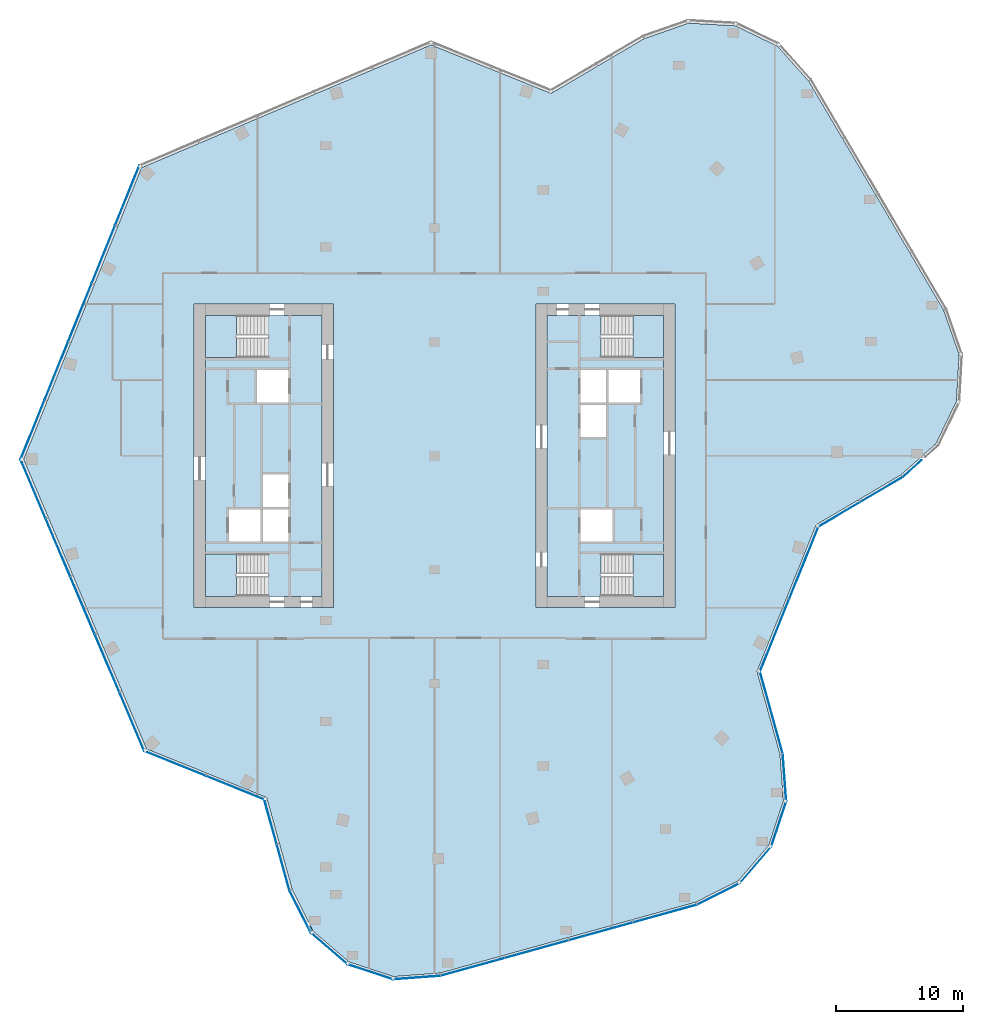
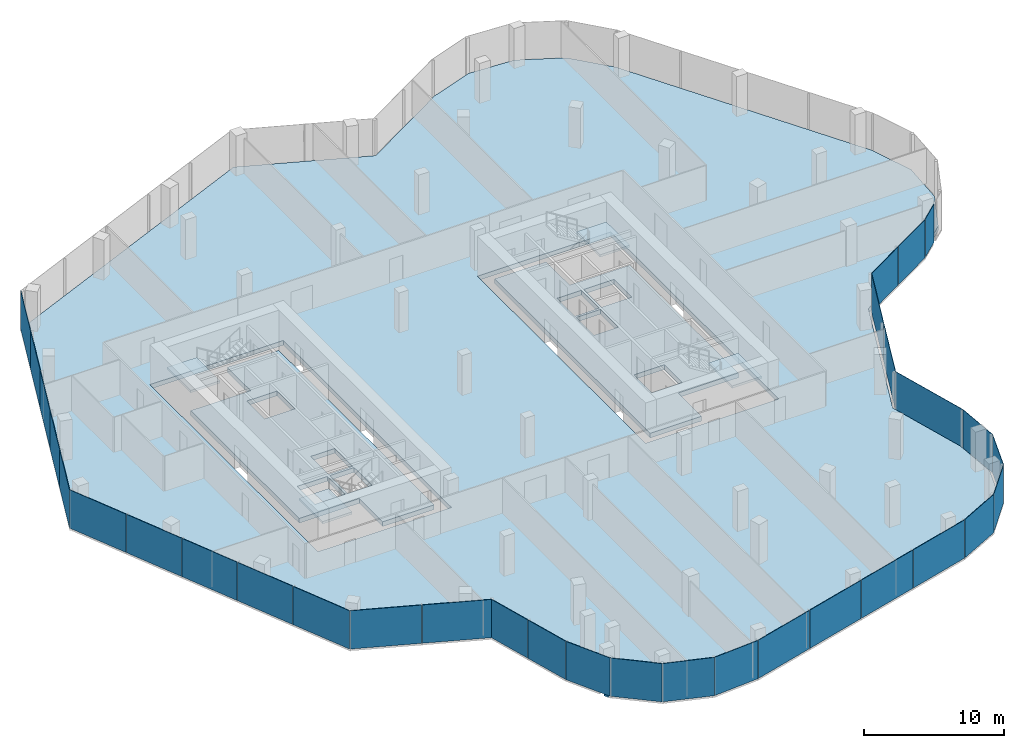
# One storey, part 10 of 16: 32 plates, 7 slabs, 1 member, 21 elements without a shape of their own.
"""IFC4 building model written with IfcOpenShell, lengths in metres."""

from ifc_helpers import new_model, si_unit, direction, frame, origin, origin_2d, place, context, subcontext, project, spatial, polyline, rectangle, outline, extrude, material, layer, layer_set, material_profile, profile_set, type_object, element, aggregate, save


model = new_model("IFC4")

# Units and contexts
model_context = context("Model", 3, precision=1e-05, world=origin(), true_north=direction((0.0, 1.0)))
body_context = subcontext(model_context, "Body", "Model", "MODEL_VIEW")
ifc_project = project(units=[si_unit("LENGTHUNIT", "METRE"), si_unit("AREAUNIT", "SQUARE_METRE"), si_unit("VOLUMEUNIT", "CUBIC_METRE"), si_unit("PLANEANGLEUNIT", "RADIAN"), si_unit("MASSUNIT", "GRAM", prefix="KILO")], contexts=[model_context])

# Site, building, storey
site_placement = place(None, origin())
site = spatial("IfcSite", under=ifc_project, at=site_placement, CompositionType="ELEMENT")
building_placement = place(site_placement, origin())
building = spatial("IfcBuilding", under=site, at=building_placement, Name="Orlundy Tower", CompositionType="ELEMENT")
storey_placement = place(building_placement, frame((0.0, 0.0, 282.39990234375)))
storey = spatial("IfcBuildingStorey", under=building, at=storey_placement, Name="L75", CompositionType="ELEMENT", Elevation=282.39990234375)

# Curtain wall, member
ifc_material_1 = material(Name="Aluminium bronze anodised", Category="aluminium")
curtain_wall_type = type_object("IfcCurtainWallType", Name="CW6 wall", PredefinedType="NOTDEFINED", material=ifc_material_1)
curtain_wall_1_placement = place(storey_placement, origin())
curtain_wall_1 = element("IfcCurtainWall", 1, at=curtain_wall_1_placement, inside=storey, type_object=curtain_wall_type, Name="CW6 run 011", PredefinedType="NOTDEFINED")
ifc_material_2 = material(Name="Aluminium bronze anodised", Category="aluminium")
ifc_material_profile = material_profile(ifc_material_2, rectangle(XDim=0.239990234375, YDim=0.159912109375, at=origin_2d()), Name="CW6 transom 240x160")
ifc_profile_set = profile_set([ifc_material_profile], Name="Aluminium bronze anodised")
member_type = type_object("IfcMemberType", Name="CW6 transom 240x160", PredefinedType="USERDEFINED", material=ifc_profile_set)
member_placement = place(storey_placement, frame((-9.7373046875, -37.5322265625, -0.31982421875), z_axis=(-0.450437701158, 0.892807861399, 0.0), x_axis=(-0.892807861399, -0.450437701158, 0.0)))
member = element("IfcMember", 2, at=member_placement, type_object=member_type, Name="CW6 transom", ObjectType="TRANSOM", PredefinedType="USERDEFINED", context=body_context, shape_type="SweptSolid", body=[
    extrude(rectangle(XDim=0.239990234375, YDim=0.159912109375, at=origin_2d()), origin(), (0.0, 0.0, 1.0), 0.363037109375),
])

# Curtain wall, plates
curtain_wall_2_placement = place(storey_placement, origin())
curtain_wall_2 = element("IfcCurtainWall", 3, at=curtain_wall_2_placement, inside=storey, type_object=curtain_wall_type, Name="CW6 run 00", PredefinedType="NOTDEFINED")
ifc_material_3 = material(Name="Tinted glass", Category="glass")
ifc_layer_1 = layer(ifc_material_3, 0.035888671875)
ifc_layer_set_1 = layer_set([ifc_layer_1], Name="CW6 glass panel 36")
plate_type = type_object("IfcPlateType", Name="CW6 glass panel 36", PredefinedType="CURTAIN_PANEL", material=ifc_layer_set_1)
plate_1_placement = place(storey_placement, frame((35.306396484375, -2.672607421875, -0.23974609375), z_axis=(0.0, 0.0, 1.0), x_axis=(-0.861613706628, -0.507564597416, 0.0)))
plate_1 = element("IfcPlate", 4, at=plate_1_placement, type_object=plate_type, Name="CW6 panel", PredefinedType="CURTAIN_PANEL", context=body_context, shape_type="SweptSolid", body=[
    extrude(rectangle(XDim=3.86376953125, YDim=0.035888671875, at=origin_2d()), origin(), (0.0, 0.0, 1.0), 3.340087890625),
])
plate_2_placement = place(storey_placement, frame((31.965087890625, -4.640869140625, -0.23974609375), z_axis=(0.0, 0.0, 1.0), x_axis=(-0.861613706628, -0.507564597416, 0.0)))
plate_2 = element("IfcPlate", 5, at=plate_2_placement, type_object=plate_type, Name="CW6 panel", PredefinedType="CURTAIN_PANEL", context=body_context, shape_type="SweptSolid", body=[
    extrude(rectangle(XDim=3.791748046875, YDim=0.035888671875, at=origin_2d()), origin(), (0.0, 0.0, 1.0), 3.340087890625),
])
aggregate(curtain_wall_2, [plate_1, plate_2])

curtain_wall_3_placement = place(storey_placement, origin())
curtain_wall_3 = element("IfcCurtainWall", 6, at=curtain_wall_3_placement, inside=storey, type_object=curtain_wall_type, Name="CW6 run 01", PredefinedType="NOTDEFINED")
plate_3_placement = place(storey_placement, frame((29.18115234375, -8.45068359375, -0.23974609375), z_axis=(0.0, 0.0, 1.0), x_axis=(-0.37457825326, -0.927195304229, 0.0)))
plate_3 = element("IfcPlate", 7, at=plate_3_placement, type_object=plate_type, Name="CW6 panel", PredefinedType="CURTAIN_PANEL", context=body_context, shape_type="SweptSolid", body=[
    extrude(rectangle(XDim=6.142578125, YDim=0.035888671875, at=origin_2d()), origin(), (0.0, 0.0, 1.0), 3.340087890625),
])
plate_4_placement = place(storey_placement, frame((26.861572265625, -14.192626953125, -0.23974609375), z_axis=(0.0, 0.0, 1.0), x_axis=(-0.37457825326, -0.927195304229, 0.0)))
plate_4 = element("IfcPlate", 8, at=plate_4_placement, type_object=plate_type, Name="CW6 panel", PredefinedType="CURTAIN_PANEL", context=body_context, shape_type="SweptSolid", body=[
    extrude(rectangle(XDim=6.142578125, YDim=0.035888671875, at=origin_2d()), origin(), (0.0, 0.0, 1.0), 3.340087890625),
])
aggregate(curtain_wall_3, [plate_3, plate_4])

# Curtain wall, plate
curtain_wall_4_placement = place(storey_placement, origin())
curtain_wall_4 = element("IfcCurtainWall", 9, at=curtain_wall_4_placement, inside=storey, type_object=curtain_wall_type, Name="CW6 run 02", PredefinedType="NOTDEFINED")
plate_5_placement = place(storey_placement, frame((26.607177734375, -20.27099609375, -0.23974609375), z_axis=(0.0, 0.0, 1.0), x_axis=(0.26725609635, -0.963625538767, 0.0)))
plate_5 = element("IfcPlate", 10, at=plate_5_placement, type_object=plate_type, Name="CW6 panel", PredefinedType="CURTAIN_PANEL", context=body_context, shape_type="SweptSolid", body=[
    extrude(rectangle(XDim=6.705078125, YDim=0.035888671875, at=origin_2d()), origin(), (0.0, 0.0, 1.0), 3.340087890625),
])
aggregate(curtain_wall_4, [plate_5])

curtain_wall_5_placement = place(storey_placement, origin())
curtain_wall_5 = element("IfcCurtainWall", 11, at=curtain_wall_5_placement, inside=storey, type_object=curtain_wall_type, Name="CW6 run 03", PredefinedType="NOTDEFINED")
plate_6_placement = place(storey_placement, frame((27.650146484375, -25.419677734375, -0.23974609375), z_axis=(0.0, 0.0, 1.0), x_axis=(0.073911430304, -0.997264809602, 0.0)))
plate_6 = element("IfcPlate", 12, at=plate_6_placement, type_object=plate_type, Name="CW6 panel", PredefinedType="CURTAIN_PANEL", context=body_context, shape_type="SweptSolid", body=[
    extrude(rectangle(XDim=3.748046875, YDim=0.035888671875, at=origin_2d()), origin(), (0.0, 0.0, 1.0), 3.340087890625),
])
aggregate(curtain_wall_5, [plate_6])

curtain_wall_6_placement = place(storey_placement, origin())
curtain_wall_6 = element("IfcCurtainWall", 13, at=curtain_wall_6_placement, inside=storey, type_object=curtain_wall_type, Name="CW6 run 04", PredefinedType="NOTDEFINED")
plate_7_placement = place(storey_placement, frame((27.19482421875, -29.090576171875, -0.23974609375), z_axis=(0.0, 0.0, 1.0), x_axis=(-0.312988116173, -0.949757042161, 0.0)))
plate_7 = element("IfcPlate", 14, at=plate_7_placement, type_object=plate_type, Name="CW6 panel", PredefinedType="CURTAIN_PANEL", context=body_context, shape_type="SweptSolid", body=[
    extrude(rectangle(XDim=3.79443359375, YDim=0.035888671875, at=origin_2d()), origin(), (0.0, 0.0, 1.0), 3.340087890625),
])
aggregate(curtain_wall_6, [plate_7])

curtain_wall_7_placement = place(storey_placement, origin())
curtain_wall_7 = element("IfcCurtainWall", 15, at=curtain_wall_7_placement, inside=storey, type_object=curtain_wall_type, Name="CW6 run 05", PredefinedType="NOTDEFINED")
plate_8_placement = place(storey_placement, frame((25.362060546875, -32.329833984375, -0.23974609375), z_axis=(0.0, 0.0, 1.0), x_axis=(-0.652832887024, -0.757501961463, 0.0)))
plate_8 = element("IfcPlate", 16, at=plate_8_placement, type_object=plate_type, Name="CW6 panel", PredefinedType="CURTAIN_PANEL", context=body_context, shape_type="SweptSolid", body=[
    extrude(rectangle(XDim=3.795166015625, YDim=0.035888671875, at=origin_2d()), origin(), (0.0, 0.0, 1.0), 3.340087890625),
])
aggregate(curtain_wall_7, [plate_8])

curtain_wall_8_placement = place(storey_placement, origin())
curtain_wall_8 = element("IfcCurtainWall", 17, at=curtain_wall_8_placement, inside=storey, type_object=curtain_wall_type, Name="CW6 run 06", PredefinedType="NOTDEFINED")
plate_9_placement = place(storey_placement, frame((22.4501953125, -34.610595703125, -0.23974609375), z_axis=(0.0, 0.0, 1.0), x_axis=(-0.893019858419, -0.450017257968, 0.0)))
plate_9 = element("IfcPlate", 18, at=plate_9_placement, type_object=plate_type, Name="CW6 panel", PredefinedType="CURTAIN_PANEL", context=body_context, shape_type="SweptSolid", body=[
    extrude(rectangle(XDim=3.747314453125, YDim=0.035888671875, at=origin_2d()), origin(), (0.0, 0.0, 1.0), 3.340087890625),
])
aggregate(curtain_wall_8, [plate_9])

# Curtain wall, plates
curtain_wall_9_placement = place(storey_placement, origin())
curtain_wall_9 = element("IfcCurtainWall", 19, at=curtain_wall_9_placement, inside=storey, type_object=curtain_wall_type, Name="CW6 run 07", PredefinedType="NOTDEFINED")
plate_10_placement = place(storey_placement, frame((18.21435546875, -36.16943359375, -0.23974609375), z_axis=(0.0, 0.0, 1.0), x_axis=(-0.963629710974, -0.267241052476, 0.0)))
plate_10 = element("IfcPlate", 20, at=plate_10_placement, type_object=plate_type, Name="CW6 panel", PredefinedType="CURTAIN_PANEL", context=body_context, shape_type="SweptSolid", body=[
    extrude(rectangle(XDim=5.2216796875, YDim=0.035888671875, at=origin_2d()), origin(), (0.0, 0.0, 1.0), 3.340087890625),
])
plate_11_placement = place(storey_placement, frame((13.144775390625, -37.575439453125, -0.23974609375), z_axis=(0.0, 0.0, 1.0), x_axis=(-0.963629710974, -0.267241052476, 0.0)))
plate_11 = element("IfcPlate", 21, at=plate_11_placement, type_object=plate_type, Name="CW6 panel", PredefinedType="CURTAIN_PANEL", context=body_context, shape_type="SweptSolid", body=[
    extrude(rectangle(XDim=5.199951171875, YDim=0.035888671875, at=origin_2d()), origin(), (0.0, 0.0, 1.0), 3.340087890625),
])
plate_12_placement = place(storey_placement, frame((8.0859375, -38.978515625, -0.23974609375), z_axis=(0.0, 0.0, 1.0), x_axis=(-0.963629710974, -0.267241052476, 0.0)))
plate_12 = element("IfcPlate", 22, at=plate_12_placement, type_object=plate_type, Name="CW6 panel", PredefinedType="CURTAIN_PANEL", context=body_context, shape_type="SweptSolid", body=[
    extrude(rectangle(XDim=5.199951171875, YDim=0.035888671875, at=origin_2d()), origin(), (0.0, 0.0, 1.0), 3.340087890625),
])
plate_13_placement = place(storey_placement, frame((3.016357421875, -40.38427734375, -0.23974609375), z_axis=(0.0, 0.0, 1.0), x_axis=(-0.963629710974, -0.267241052476, 0.0)))
plate_13 = element("IfcPlate", 23, at=plate_13_placement, type_object=plate_type, Name="CW6 panel", PredefinedType="CURTAIN_PANEL", context=body_context, shape_type="SweptSolid", body=[
    extrude(rectangle(XDim=5.2216796875, YDim=0.035888671875, at=origin_2d()), origin(), (0.0, 0.0, 1.0), 3.340087890625),
])
aggregate(curtain_wall_9, [plate_10, plate_11, plate_12, plate_13])

# Curtain wall, plate
curtain_wall_10_placement = place(storey_placement, origin())
curtain_wall_10 = element("IfcCurtainWall", 24, at=curtain_wall_10_placement, inside=storey, type_object=curtain_wall_type, Name="CW6 run 08", PredefinedType="NOTDEFINED")
plate_14_placement = place(storey_placement, frame((-1.417724609375, -41.229736328125, -0.23974609375), z_axis=(0.0, 0.0, 1.0), x_axis=(-0.99724489086, -0.074179698392, 0.0)))
plate_14 = element("IfcPlate", 25, at=plate_14_placement, type_object=plate_type, Name="CW6 panel", PredefinedType="CURTAIN_PANEL", context=body_context, shape_type="SweptSolid", body=[
    extrude(rectangle(XDim=3.748046875, YDim=0.035888671875, at=origin_2d()), origin(), (0.0, 0.0, 1.0), 3.340087890625),
])
aggregate(curtain_wall_10, [plate_14])

curtain_wall_11_placement = place(storey_placement, origin())
curtain_wall_11 = element("IfcCurtainWall", 26, at=curtain_wall_11_placement, inside=storey, type_object=curtain_wall_type, Name="CW6 run 09", PredefinedType="NOTDEFINED")
plate_15_placement = place(storey_placement, frame((-5.088623046875, -40.7744140625, -0.23974609375), z_axis=(0.0, 0.0, 1.0), x_axis=(-0.949676811134, 0.313231470951, 0.0)))
plate_15 = element("IfcPlate", 27, at=plate_15_placement, type_object=plate_type, Name="CW6 panel", PredefinedType="CURTAIN_PANEL", context=body_context, shape_type="SweptSolid", body=[
    extrude(rectangle(XDim=3.794921875, YDim=0.035888671875, at=origin_2d()), origin(), (0.0, 0.0, 1.0), 3.340087890625),
])
aggregate(curtain_wall_11, [plate_15])

curtain_wall_12_placement = place(storey_placement, origin())
curtain_wall_12 = element("IfcCurtainWall", 28, at=curtain_wall_12_placement, inside=storey, type_object=curtain_wall_type, Name="CW6 run 010", PredefinedType="NOTDEFINED")
plate_16_placement = place(storey_placement, frame((-8.327880859375, -38.941650390625, -0.23974609375), z_axis=(0.0, 0.0, 1.0), x_axis=(-0.757635374241, 0.652678052104, 0.0)))
plate_16 = element("IfcPlate", 29, at=plate_16_placement, type_object=plate_type, Name="CW6 panel", PredefinedType="CURTAIN_PANEL", context=body_context, shape_type="SweptSolid", body=[
    extrude(rectangle(XDim=3.794677734375, YDim=0.035888671875, at=origin_2d()), origin(), (0.0, 0.0, 1.0), 3.340087890625),
])
aggregate(curtain_wall_12, [plate_16])

# Plate
plate_17_placement = place(storey_placement, frame((-10.608642578125, -36.030029296875, -0.23974609375), z_axis=(0.0, 0.0, 1.0), x_axis=(-0.450017257968, 0.893019858419, 0.0)))
plate_17 = element("IfcPlate", 30, at=plate_17_placement, type_object=plate_type, Name="CW6 panel", PredefinedType="CURTAIN_PANEL", context=body_context, shape_type="SweptSolid", body=[
    extrude(rectangle(XDim=3.74755859375, YDim=0.035888671875, at=origin_2d()), origin(), (0.0, 0.0, 1.0), 3.340087890625),
])

aggregate(curtain_wall_1, [plate_17, member])

# Curtain wall, plates
curtain_wall_13_placement = place(storey_placement, origin())
curtain_wall_13 = element("IfcCurtainWall", 31, at=curtain_wall_13_placement, inside=storey, type_object=curtain_wall_type, Name="CW6 run 012", PredefinedType="NOTDEFINED")
plate_18_placement = place(storey_placement, frame((-11.96923828125, -32.509033203125, -0.23974609375), z_axis=(0.0, 0.0, 1.0), x_axis=(-0.267226188967, 0.963633832911, 0.0)))
plate_18 = element("IfcPlate", 32, at=plate_18_placement, type_object=plate_type, Name="CW6 panel", PredefinedType="CURTAIN_PANEL", context=body_context, shape_type="SweptSolid", body=[
    extrude(rectangle(XDim=3.73828125, YDim=0.035888671875, at=origin_2d()), origin(), (0.0, 0.0, 1.0), 3.340087890625),
])
plate_19_placement = place(storey_placement, frame((-12.96728515625, -28.90966796875, -0.23974609375), z_axis=(0.0, 0.0, 1.0), x_axis=(-0.267226188967, 0.963633832911, 0.0)))
plate_19 = element("IfcPlate", 33, at=plate_19_placement, type_object=plate_type, Name="CW6 panel", PredefinedType="CURTAIN_PANEL", context=body_context, shape_type="SweptSolid", body=[
    extrude(rectangle(XDim=3.632080078125, YDim=0.035888671875, at=origin_2d()), origin(), (0.0, 0.0, 1.0), 3.340087890625),
])
aggregate(curtain_wall_13, [plate_18, plate_19])

curtain_wall_14_placement = place(storey_placement, origin())
curtain_wall_14 = element("IfcCurtainWall", 34, at=curtain_wall_14_placement, inside=storey, type_object=curtain_wall_type, Name="CW6 run 013", PredefinedType="NOTDEFINED")
plate_20_placement = place(storey_placement, frame((-15.763427734375, -26.2265625, -0.23974609375), z_axis=(0.0, 0.0, 1.0), x_axis=(-0.927218353808, 0.374521193474, 0.0)))
plate_20 = element("IfcPlate", 35, at=plate_20_placement, type_object=plate_type, Name="CW6 panel", PredefinedType="CURTAIN_PANEL", context=body_context, shape_type="SweptSolid", body=[
    extrude(rectangle(XDim=4.984130859375, YDim=0.035888671875, at=origin_2d()), origin(), (0.0, 0.0, 1.0), 3.340087890625),
])
plate_21_placement = place(storey_placement, frame((-20.5244140625, -24.303466796875, -0.23974609375), z_axis=(0.0, 0.0, 1.0), x_axis=(-0.927218353808, 0.374521193474, 0.0)))
plate_21 = element("IfcPlate", 36, at=plate_21_placement, type_object=plate_type, Name="CW6 panel", PredefinedType="CURTAIN_PANEL", context=body_context, shape_type="SweptSolid", body=[
    extrude(rectangle(XDim=5.185546875, YDim=0.035888671875, at=origin_2d()), origin(), (0.0, 0.0, 1.0), 3.340087890625),
])
aggregate(curtain_wall_14, [plate_20, plate_21])

curtain_wall_15_placement = place(storey_placement, origin())
curtain_wall_15 = element("IfcCurtainWall", 37, at=curtain_wall_15_placement, inside=storey, type_object=curtain_wall_type, Name="CW6 run 014", PredefinedType="NOTDEFINED")
plate_22_placement = place(storey_placement, frame((-23.91259765625, -21.013671875, -0.23974609375), z_axis=(0.0, 0.0, 1.0), x_axis=(-0.390726531244, 0.920506804854, 0.0)))
plate_22 = element("IfcPlate", 38, at=plate_22_placement, type_object=plate_type, Name="CW6 panel", PredefinedType="CURTAIN_PANEL", context=body_context, shape_type="SweptSolid", body=[
    extrude(rectangle(XDim=5.03759765625, YDim=0.035888671875, at=origin_2d()), origin(), (0.0, 0.0, 1.0), 3.340087890625),
])
plate_23_placement = place(storey_placement, frame((-25.877685546875, -16.38427734375, -0.23974609375), z_axis=(0.0, 0.0, 1.0), x_axis=(-0.390726531244, 0.920506804854, 0.0)))
plate_23 = element("IfcPlate", 39, at=plate_23_placement, type_object=plate_type, Name="CW6 panel", PredefinedType="CURTAIN_PANEL", context=body_context, shape_type="SweptSolid", body=[
    extrude(rectangle(XDim=4.920654296875, YDim=0.035888671875, at=origin_2d()), origin(), (0.0, 0.0, 1.0), 3.340087890625),
])
plate_24_placement = place(storey_placement, frame((-27.81982421875, -11.808837890625, -0.23974609375), z_axis=(0.0, 0.0, 1.0), x_axis=(-0.390726531244, 0.920506804854, 0.0)))
plate_24 = element("IfcPlate", 40, at=plate_24_placement, type_object=plate_type, Name="CW6 panel", PredefinedType="CURTAIN_PANEL", context=body_context, shape_type="SweptSolid", body=[
    extrude(rectangle(XDim=4.920654296875, YDim=0.035888671875, at=origin_2d()), origin(), (0.0, 0.0, 1.0), 3.340087890625),
])
plate_25_placement = place(storey_placement, frame((-29.761962890625, -7.233154296875, -0.23974609375), z_axis=(0.0, 0.0, 1.0), x_axis=(-0.390726531244, 0.920506804854, 0.0)))
plate_25 = element("IfcPlate", 41, at=plate_25_placement, type_object=plate_type, Name="CW6 panel", PredefinedType="CURTAIN_PANEL", context=body_context, shape_type="SweptSolid", body=[
    extrude(rectangle(XDim=4.920654296875, YDim=0.035888671875, at=origin_2d()), origin(), (0.0, 0.0, 1.0), 3.340087890625),
])
plate_26_placement = place(storey_placement, frame((-31.72705078125, -2.603759765625, -0.23974609375), z_axis=(0.0, 0.0, 1.0), x_axis=(-0.390726531244, 0.920506804854, 0.0)))
plate_26 = element("IfcPlate", 42, at=plate_26_placement, type_object=plate_type, Name="CW6 panel", PredefinedType="CURTAIN_PANEL", context=body_context, shape_type="SweptSolid", body=[
    extrude(rectangle(XDim=5.03759765625, YDim=0.035888671875, at=origin_2d()), origin(), (0.0, 0.0, 1.0), 3.340087890625),
])
aggregate(curtain_wall_15, [plate_22, plate_23, plate_24, plate_25, plate_26])

curtain_wall_16_placement = place(storey_placement, origin())
curtain_wall_16 = element("IfcCurtainWall", 43, at=curtain_wall_16_placement, inside=storey, type_object=curtain_wall_type, Name="CW6 run 015", PredefinedType="NOTDEFINED")
plate_27_placement = place(storey_placement, frame((-31.767822265625, 2.05029296875, -0.23974609375), z_axis=(0.0, 0.0, 1.0), x_axis=(0.374607412456, 0.927183523653, 0.0)))
plate_27 = element("IfcPlate", 44, at=plate_27_placement, type_object=plate_type, Name="CW6 panel", PredefinedType="CURTAIN_PANEL", context=body_context, shape_type="SweptSolid", body=[
    extrude(rectangle(XDim=5.03759765625, YDim=0.035888671875, at=origin_2d()), origin(), (0.0, 0.0, 1.0), 3.340087890625),
])
plate_28_placement = place(storey_placement, frame((-29.8837890625, 6.713134765625, -0.23974609375), z_axis=(0.0, 0.0, 1.0), x_axis=(0.374607412456, 0.927183523653, 0.0)))
plate_28 = element("IfcPlate", 45, at=plate_28_placement, type_object=plate_type, Name="CW6 panel", PredefinedType="CURTAIN_PANEL", context=body_context, shape_type="SweptSolid", body=[
    extrude(rectangle(XDim=4.920654296875, YDim=0.035888671875, at=origin_2d()), origin(), (0.0, 0.0, 1.0), 3.340087890625),
])
plate_29_placement = place(storey_placement, frame((-28.021728515625, 11.32177734375, -0.23974609375), z_axis=(0.0, 0.0, 1.0), x_axis=(0.374607412456, 0.927183523653, 0.0)))
plate_29 = element("IfcPlate", 46, at=plate_29_placement, type_object=plate_type, Name="CW6 panel", PredefinedType="CURTAIN_PANEL", context=body_context, shape_type="SweptSolid", body=[
    extrude(rectangle(XDim=4.920654296875, YDim=0.035888671875, at=origin_2d()), origin(), (0.0, 0.0, 1.0), 3.340087890625),
])
plate_30_placement = place(storey_placement, frame((-26.159912109375, 15.93017578125, -0.23974609375), z_axis=(0.0, 0.0, 1.0), x_axis=(0.374607412456, 0.927183523653, 0.0)))
plate_30 = element("IfcPlate", 47, at=plate_30_placement, type_object=plate_type, Name="CW6 panel", PredefinedType="CURTAIN_PANEL", context=body_context, shape_type="SweptSolid", body=[
    extrude(rectangle(XDim=4.920654296875, YDim=0.035888671875, at=origin_2d()), origin(), (0.0, 0.0, 1.0), 3.340087890625),
])
plate_31_placement = place(storey_placement, frame((-24.27587890625, 20.593017578125, -0.23974609375), z_axis=(0.0, 0.0, 1.0), x_axis=(0.374607412456, 0.927183523653, 0.0)))
plate_31 = element("IfcPlate", 48, at=plate_31_placement, type_object=plate_type, Name="CW6 panel", PredefinedType="CURTAIN_PANEL", context=body_context, shape_type="SweptSolid", body=[
    extrude(rectangle(XDim=5.03759765625, YDim=0.035888671875, at=origin_2d()), origin(), (0.0, 0.0, 1.0), 3.340087890625),
])
aggregate(curtain_wall_16, [plate_27, plate_28, plate_29, plate_30, plate_31])

# Curtain wall, plate
curtain_wall_17_placement = place(storey_placement, origin())
curtain_wall_17 = element("IfcCurtainWall", 49, at=curtain_wall_17_placement, inside=storey, type_object=curtain_wall_type, Name="CW6 run 027", PredefinedType="NOTDEFINED")
plate_32_placement = place(storey_placement, frame((37.743896484375, -1.0087890625, -0.23974609375), z_axis=(0.0, 0.0, 1.0), x_axis=(-0.746157794518, -0.665769138425, 0.0)))
plate_32 = element("IfcPlate", 50, at=plate_32_placement, type_object=plate_type, Name="CW6 panel", PredefinedType="CURTAIN_PANEL", context=body_context, shape_type="SweptSolid", body=[
    extrude(rectangle(XDim=1.9638671875, YDim=0.035888671875, at=origin_2d()), origin(), (0.0, 0.0, 1.0), 3.340087890625),
])
aggregate(curtain_wall_17, [plate_32])

# Slabs
ifc_material_4 = material(Name="Concrete C50/60", Category="concrete")
ifc_layer_2 = layer(ifc_material_4, 0.409912109375)
ifc_layer_set_2 = layer_set([ifc_layer_2], Name="Core Floor Slab 410")
slab_type_1 = type_object("IfcSlabType", Name="Core Floor Slab 410", PredefinedType="FLOOR", material=ifc_layer_set_2)
slab_1_placement = place(storey_placement, frame((0.0, 0.0, -0.409912109375)))
element("IfcSlab", 51, at=slab_1_placement, inside=storey, type_object=slab_type_1, Name="Core floor W57", PredefinedType="FLOOR", context=body_context, shape_type="SweptSolid", body=[
    extrude(outline(polyline([(-18.10009765625, 7.75), (-13.14501953125, 7.75), (-13.14501953125, 11.10009765625), (-8.89990234375, 11.10009765625), (-8.89990234375, -11.10009765625), (-13.14501953125, -11.10009765625), (-13.14501953125, -7.75), (-18.10009765625, -7.75), (-18.10009765625, 7.75)]), holes=[polyline([(-13.5400390625, -4.22509765625), (-13.5400390625, -6.77490234375), (-11.5400390625, -6.77490234375), (-11.5400390625, -4.22509765625), (-13.5400390625, -4.22509765625)]), polyline([(-13.739990234375, -4.22509765625), (-16.239990234375, -4.22509765625), (-16.239990234375, -6.77490234375), (-13.739990234375, -6.77490234375), (-13.739990234375, -4.22509765625)]), polyline([(-11.5400390625, -4.02490234375), (-11.5400390625, -1.47509765625), (-13.5400390625, -1.47509765625), (-13.5400390625, -4.02490234375), (-11.5400390625, -4.02490234375)]), polyline([(-14.0400390625, 4.22509765625), (-11.5400390625, 4.22509765625), (-11.5400390625, 6.77490234375), (-14.0400390625, 6.77490234375), (-14.0400390625, 4.22509765625)])]), origin(), (0.0, 0.0, 1.0), 0.409912109375),
])
slab_2_placement = place(storey_placement, frame((0.0, 0.0, -0.409912109375)))
element("IfcSlab", 52, at=slab_2_placement, inside=storey, type_object=slab_type_1, Name="Core floor E57", PredefinedType="FLOOR", context=body_context, shape_type="SweptSolid", body=[
    extrude(outline(polyline([(18.10009765625, -7.75), (13.14501953125, -7.75), (13.14501953125, -11.10009765625), (8.89990234375, -11.10009765625), (8.89990234375, 11.10009765625), (13.14501953125, 11.10009765625), (13.14501953125, 7.75), (18.10009765625, 7.75), (18.10009765625, -7.75)]), holes=[polyline([(13.5400390625, 4.22509765625), (13.5400390625, 6.77490234375), (11.5400390625, 6.77490234375), (11.5400390625, 4.22509765625), (13.5400390625, 4.22509765625)]), polyline([(13.739990234375, 4.22509765625), (16.239990234375, 4.22509765625), (16.239990234375, 6.77490234375), (13.739990234375, 6.77490234375), (13.739990234375, 4.22509765625)]), polyline([(11.5400390625, 4.02490234375), (11.5400390625, 1.47509765625), (13.5400390625, 1.47509765625), (13.5400390625, 4.02490234375), (11.5400390625, 4.02490234375)]), polyline([(14.0400390625, -4.22509765625), (11.5400390625, -4.22509765625), (11.5400390625, -6.77490234375), (14.0400390625, -6.77490234375), (14.0400390625, -4.22509765625)])]), origin(), (0.0, 0.0, 1.0), 0.409912109375),
])

# Stair, slab
ifc_material_5 = material(Name="Concrete C50/60", Category="concrete")
stair_type = type_object("IfcStairType", Name="Exit Stair 20 risers", PredefinedType="HALF_TURN_STAIR", material=ifc_material_5)
stair_1_placement = place(storey_placement, origin())
stair_1 = element("IfcStair", 53, at=stair_1_placement, inside=storey, type_object=stair_type, Name="L75 Exit Stair ST-W1", PredefinedType="HALF_TURN_STAIR")
ifc_material_6 = material(Name="Concrete C50/60", Category="concrete")
ifc_layer_3 = layer(ifc_material_6, 0.199951171875)
ifc_layer_set_3 = layer_set([ifc_layer_3], Name="Exit Stair Landing")
slab_type_2 = type_object("IfcSlabType", Name="Exit Stair Landing", PredefinedType="LANDING", material=ifc_layer_set_3)
slab_3_placement = place(storey_placement, frame((0.0, 0.0, 1.550048828125)))
slab_3 = element("IfcSlab", 54, at=slab_3_placement, type_object=slab_type_2, Name="ST-W1 landing 1", PredefinedType="LANDING", context=body_context, shape_type="SweptSolid", body=[
    extrude(outline(polyline([(-15.659912109375, 11.10009765625), (-18.10009765625, 11.10009765625), (-18.10009765625, 7.75), (-15.659912109375, 7.75), (-15.659912109375, 11.10009765625)])), origin(), (0.0, 0.0, 1.0), 0.199951171875),
])
aggregate(stair_1, [slab_3])

stair_2_placement = place(storey_placement, origin())
stair_2 = element("IfcStair", 55, at=stair_2_placement, inside=storey, type_object=stair_type, Name="L75 Exit Stair ST-W2", PredefinedType="HALF_TURN_STAIR")
slab_4_placement = place(storey_placement, frame((0.0, 0.0, 1.550048828125)))
slab_4 = element("IfcSlab", 56, at=slab_4_placement, type_object=slab_type_2, Name="ST-W2 landing 1", PredefinedType="LANDING", context=body_context, shape_type="SweptSolid", body=[
    extrude(outline(polyline([(-15.659912109375, -7.75), (-18.10009765625, -7.75), (-18.10009765625, -11.10009765625), (-15.659912109375, -11.10009765625), (-15.659912109375, -7.75)])), origin(), (0.0, 0.0, 1.0), 0.199951171875),
])
aggregate(stair_2, [slab_4])

stair_3_placement = place(storey_placement, origin())
stair_3 = element("IfcStair", 57, at=stair_3_placement, inside=storey, type_object=stair_type, Name="L75 Exit Stair ST-E1", PredefinedType="HALF_TURN_STAIR")
slab_5_placement = place(storey_placement, frame((0.0, 0.0, 1.550048828125)))
slab_5 = element("IfcSlab", 58, at=slab_5_placement, type_object=slab_type_2, Name="ST-E1 landing 1", PredefinedType="LANDING", context=body_context, shape_type="SweptSolid", body=[
    extrude(outline(polyline([(15.659912109375, -11.10009765625), (18.10009765625, -11.10009765625), (18.10009765625, -7.75), (15.659912109375, -7.75), (15.659912109375, -11.10009765625)])), origin(), (0.0, 0.0, 1.0), 0.199951171875),
])
aggregate(stair_3, [slab_5])

stair_4_placement = place(storey_placement, origin())
stair_4 = element("IfcStair", 59, at=stair_4_placement, inside=storey, type_object=stair_type, Name="L75 Exit Stair ST-E2", PredefinedType="HALF_TURN_STAIR")
slab_6_placement = place(storey_placement, frame((0.0, 0.0, 1.550048828125)))
slab_6 = element("IfcSlab", 60, at=slab_6_placement, type_object=slab_type_2, Name="ST-E2 landing 1", PredefinedType="LANDING", context=body_context, shape_type="SweptSolid", body=[
    extrude(outline(polyline([(15.659912109375, 7.75), (18.10009765625, 7.75), (18.10009765625, 11.10009765625), (15.659912109375, 11.10009765625), (15.659912109375, 7.75)])), origin(), (0.0, 0.0, 1.0), 0.199951171875),
])
aggregate(stair_4, [slab_6])

# Slab
ifc_material_7 = material(Name="Concrete C45/55", Category="concrete")
ifc_layer_4 = layer(ifc_material_7, 0.39990234375)
ifc_layer_set_4 = layer_set([ifc_layer_4], Name="FLOOR SLAB THICK 400 C45/55")
slab_type_3 = type_object("IfcSlabType", Name="FLOOR SLAB THICK 400 C45/55", PredefinedType="FLOOR", material=ifc_layer_set_4)
slab_7_placement = place(storey_placement, frame((0.0, 0.0, -0.39990234375)))
element("IfcSlab", 61, at=slab_7_placement, inside=storey, type_object=slab_type_3, Name="Floor slab L75", PredefinedType="FLOOR", context=body_context, shape_type="SweptSolid", body=[
    extrude(outline(polyline([(30.154052734375, -5.449951171875), (25.47705078125, -17.027099609375), (27.2900390625, -23.56396484375), (27.56396484375, -27.260986328125), (26.404052734375, -30.781005859375), (23.98388671875, -33.589111328125), (20.674072265625, -35.257080078125), (0.43798828125, -40.868896484375), (-3.259033203125, -41.14404296875), (-6.779052734375, -39.98291015625), (-9.5869140625, -37.56396484375), (-11.2548828125, -34.25390625), (-13.26806640625, -26.9951171875), (-22.760009765625, -23.160888671875), (-32.470947265625, -0.282958984375), (-23.160888671875, 22.760009765625), (-0.282958984375, 32.470947265625), (9.2080078125, 28.635986328125), (16.56005859375, 32.966064453125), (20.05908203125, 34.18798828125), (23.760009765625, 33.97802734375), (27.09912109375, 32.367919921875), (29.56689453125, 29.60205078125), (40.22509765625, 11.508056640625), (41.447021484375, 8.009033203125), (41.237060546875, 4.30810546875), (39.626953125, 0.968994140625), (36.861083984375, -1.4990234375), (30.154052734375, -5.449951171875)]), holes=[polyline([(-8.0, -12.0), (-8.0, 12.0), (-19.0, 12.0), (-19.0, -12.0), (-8.0, -12.0)]), polyline([(19.0, -12.0), (19.0, 12.0), (8.0, 12.0), (8.0, -12.0), (19.0, -12.0)])]), origin(), (0.0, 0.0, 1.0), 0.39990234375),
])

save(model, "model.ifc")
